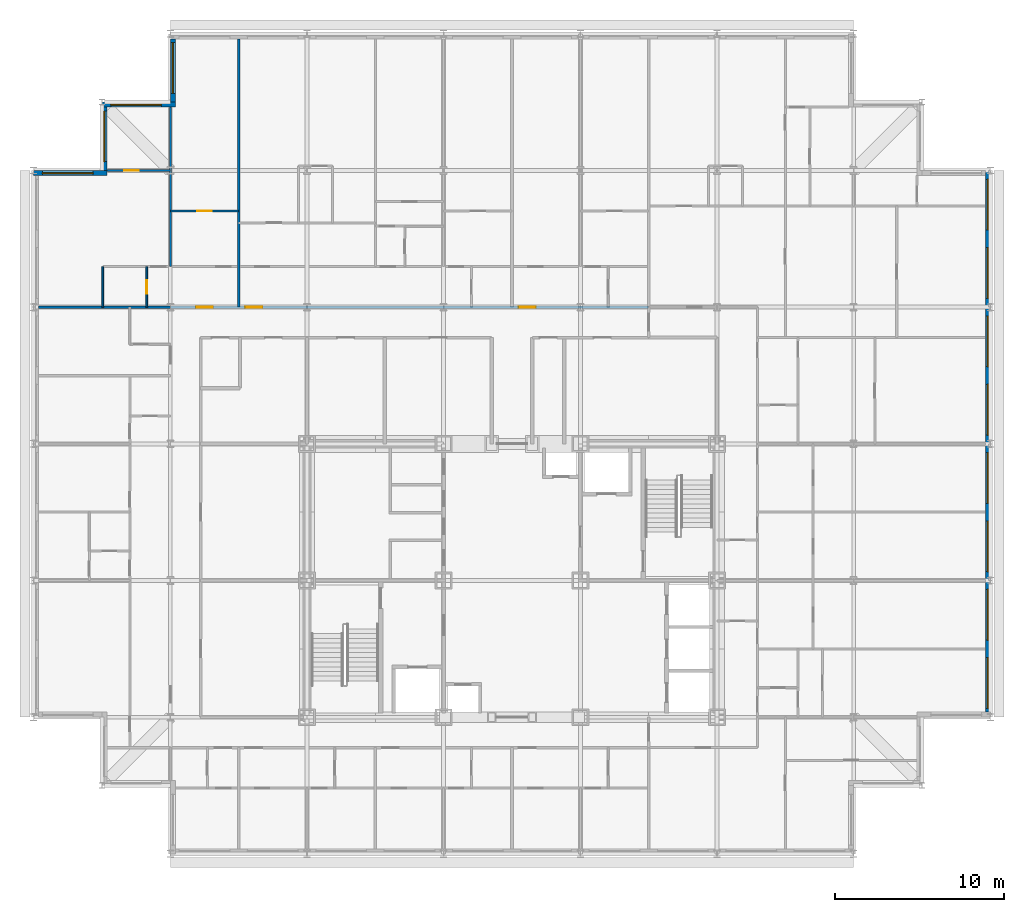
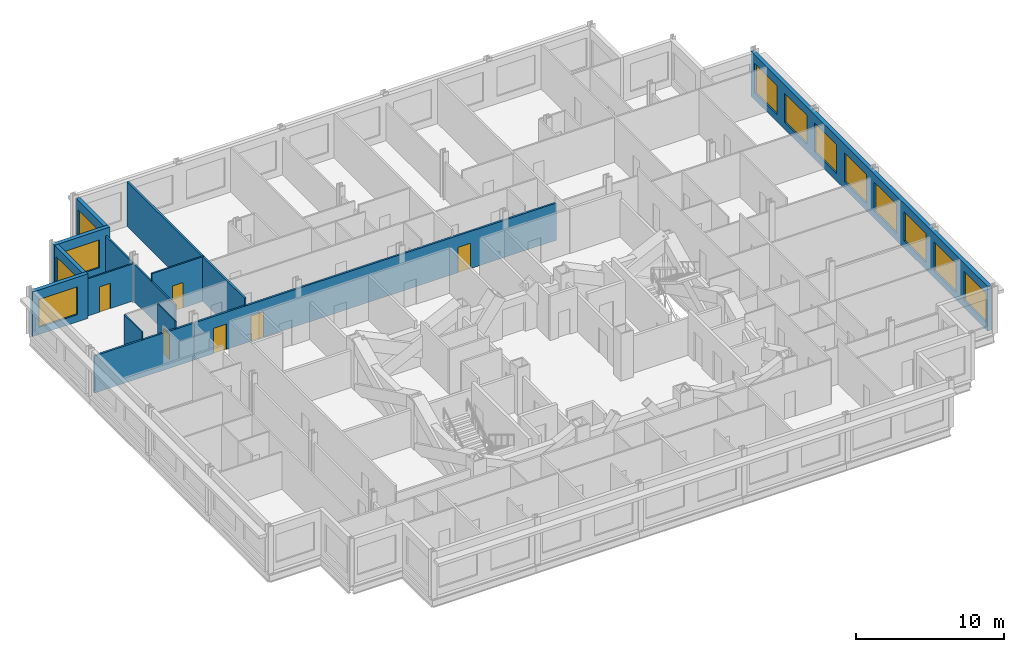
# One storey, part 12 of 16: 13 walls, 12 windows, 6 doors, 18 openings.
"""IFC4 building model written with IfcOpenShell, lengths in metres."""

from ifc_helpers import new_model, si_unit, direction, frame, frame_2d, origin, place, context, subcontext, project, spatial, rectangle, extrude, material, layer, layer_set, type_object, element, fill, save


model = new_model("IFC4")

# Units and contexts
model_context = context("Model", 3, precision=1e-05, world=origin(), true_north=direction((0.0, 1.0)))
body_context = subcontext(model_context, "Body", "Model", "MODEL_VIEW")
ifc_project = project(units=[si_unit("LENGTHUNIT", "METRE"), si_unit("AREAUNIT", "SQUARE_METRE"), si_unit("VOLUMEUNIT", "CUBIC_METRE"), si_unit("PLANEANGLEUNIT", "RADIAN"), si_unit("MASSUNIT", "GRAM", prefix="KILO")], contexts=[model_context])

# Site, building, storey
site_placement = place(None, origin())
site = spatial("IfcSite", under=ifc_project, at=site_placement, CompositionType="ELEMENT")
building_placement = place(site_placement, origin())
building = spatial("IfcBuilding", under=site, at=building_placement, Name="Kopane Lantern Tower", CompositionType="ELEMENT")
storey_placement = place(building_placement, frame((0.0, 0.0, 265.800048828125)))
storey = spatial("IfcBuildingStorey", under=building, at=storey_placement, Name="L68", CompositionType="ELEMENT", Elevation=265.800048828125)

# Wall
ifc_material_1 = material(Name="Gypsum board on steel studs", Category="steel")
ifc_layer_1 = layer(ifc_material_1, 0.1201171875)
ifc_layer_set_1 = layer_set([ifc_layer_1], Name="APARTMENT INTERNAL WALL 120")
wall_type_1 = type_object("IfcWallType", Name="APARTMENT INTERNAL WALL 120", PredefinedType="PARTITIONING", material=ifc_layer_set_1)
wall_1_placement = place(storey_placement, frame((8.10009765625, 51.0, 0.0), z_axis=(0.0, 0.0, 1.0), x_axis=(0.0, 1.0, 0.0)))
element("IfcWall", 1, at=wall_1_placement, inside=storey, type_object=wall_type_1, Name="Apartment Internal Wall 120 L68", PredefinedType="PARTITIONING", context=body_context, shape_type="SweptSolid", body=[
    extrude(rectangle(XDim=9.449951171875, YDim=0.1201171875, at=frame_2d((4.72509765625, 0.0))), origin(), (0.0, 0.0, 1.0), 3.07763671875),
])

# Wall, opening, door
wall_2_placement = place(storey_placement, frame((8.10009765625, 56.699951171875, 0.0), z_axis=(0.0, 0.0, 1.0), x_axis=(-1.0, 0.0, 0.0)))
wall_2 = element("IfcWall", 2, at=wall_2_placement, inside=storey, type_object=wall_type_1, Name="Apartment Internal Wall 120 L68", PredefinedType="PARTITIONING", context=body_context, shape_type="SweptSolid", body=[
    extrude(rectangle(XDim=3.75, YDim=0.1201171875, at=frame_2d((1.875, 0.0))), origin(), (0.0, 0.0, 1.0), 3.07763671875),
])
opening_1_placement = place(wall_2_placement, frame((1.875, 0.0, 0.0)))
opening_1 = element("IfcOpeningElement", 3, at=opening_1_placement, cuts=wall_2, Name="Opening L68-047", PredefinedType="OPENING", context=body_context, shape_type="SweptSolid", body=[
    extrude(rectangle(XDim=0.85009765625, YDim=2.10009765625, at=frame_2d((0.425048828125, 1.050048828125))), frame((0.0, 0.070068359375, 0.0), z_axis=(0.0, -1.0, 0.0), x_axis=(1.0, 0.0, 0.0)), (0.0, 0.0, 1.0), 0.14013671875),
])
ifc_material_2 = material(Name="Timber door set", Category="wood")
door_type_1 = type_object("IfcDoorType", Name="DOOR D4 850x2100", OperationType="SINGLE_SWING_LEFT", PredefinedType="DOOR", material=ifc_material_2)
door_1_placement = place(opening_1_placement, origin())
door_1 = element("IfcDoor", 4, at=door_1_placement, inside=storey, type_object=door_type_1, Name="Door L68-047", OperationType="SINGLE_SWING_LEFT", OverallHeight=2.10009765625, OverallWidth=0.85009765625, PredefinedType="DOOR", context=body_context, shape_type="SweptSolid", body=[
    extrude(rectangle(XDim=0.85009765625, YDim=2.10009765625, at=frame_2d((0.425048828125, 1.050048828125))), frame((0.0, 0.02490234375, 0.0), z_axis=(0.0, -1.0, 0.0), x_axis=(1.0, 0.0, 0.0)), (0.0, 0.0, 1.0), 0.050048828125),
])
fill(opening_1, door_1)

wall_3_placement = place(storey_placement, frame((8.10009765625, 54.300048828125, 0.0), z_axis=(0.0, 0.0, 1.0), x_axis=(1.0, 0.0, 0.0)))
wall_3 = element("IfcWall", 5, at=wall_3_placement, inside=storey, type_object=wall_type_1, Name="Apartment Internal Wall 120 L68", PredefinedType="PARTITIONING", context=body_context, shape_type="SweptSolid", body=[
    extrude(rectangle(XDim=4.0498046875, YDim=0.1201171875, at=frame_2d((2.02490234375, 0.0))), origin(), (0.0, 0.0, 1.0), 3.68994140625),
])
opening_2_placement = place(wall_3_placement, frame((1.60009765625, 0.0, 0.0)))
opening_2 = element("IfcOpeningElement", 6, at=opening_2_placement, cuts=wall_3, Name="Opening L68-075", PredefinedType="OPENING", context=body_context, shape_type="SweptSolid", body=[
    extrude(rectangle(XDim=0.85009765625, YDim=2.10009765625, at=frame_2d((0.425048828125, 1.050048828125))), frame((0.0, 0.070068359375, 0.0), z_axis=(0.0, -1.0, 0.0), x_axis=(1.0, 0.0, 0.0)), (0.0, 0.0, 1.0), 0.14013671875),
])
door_2_placement = place(opening_2_placement, origin())
door_2 = element("IfcDoor", 7, at=door_2_placement, inside=storey, type_object=door_type_1, Name="Door L68-075", OperationType="SINGLE_SWING_RIGHT", OverallHeight=2.10009765625, OverallWidth=0.85009765625, PredefinedType="DOOR", context=body_context, shape_type="SweptSolid", body=[
    extrude(rectangle(XDim=0.85009765625, YDim=2.10009765625, at=frame_2d((0.425048828125, 1.050048828125))), frame((0.0, 0.02490234375, 0.0), z_axis=(0.0, -1.0, 0.0), x_axis=(1.0, 0.0, 0.0)), (0.0, 0.0, 1.0), 0.050048828125),
])
fill(opening_2, door_2)

ifc_material_3 = material(Name="Moisture-resistant board on steel studs", Category="steel")
ifc_layer_2 = layer(ifc_material_3, 0.10009765625)
ifc_layer_set_2 = layer_set([ifc_layer_2], Name="BATHROOM WALL 100")
wall_type_2 = type_object("IfcWallType", Name="BATHROOM WALL 100", PredefinedType="PARTITIONING", material=ifc_layer_set_2)
wall_4_placement = place(storey_placement, frame((6.699951171875, 48.60009765625, 0.0), z_axis=(0.0, 0.0, 1.0), x_axis=(0.0, 1.0, 0.0)))
wall_4 = element("IfcWall", 8, at=wall_4_placement, inside=storey, type_object=wall_type_2, Name="Bathroom Wall 100 L68", PredefinedType="PARTITIONING", context=body_context, shape_type="SweptSolid", body=[
    extrude(rectangle(XDim=2.39990234375, YDim=0.10009765625, at=frame_2d((1.199951171875, 0.0))), origin(), (0.0, 0.0, 1.0), 3.68994140625),
])
opening_3_placement = place(wall_4_placement, frame((0.800048828125, 0.0, 0.0)))
opening_3 = element("IfcOpeningElement", 9, at=opening_3_placement, cuts=wall_4, Name="Opening L68-045", PredefinedType="OPENING", context=body_context, shape_type="SweptSolid", body=[
    extrude(rectangle(XDim=0.800048828125, YDim=2.10009765625, at=frame_2d((0.39990234375, 1.050048828125))), frame((0.0, 0.06005859375, 0.0), z_axis=(0.0, -1.0, 0.0), x_axis=(1.0, 0.0, 0.0)), (0.0, 0.0, 1.0), 0.1201171875),
])
ifc_material_4 = material(Name="Timber door set", Category="wood")
door_type_2 = type_object("IfcDoorType", Name="DOOR D2 800x2100", OperationType="SINGLE_SWING_LEFT", PredefinedType="DOOR", material=ifc_material_4)
door_3_placement = place(opening_3_placement, origin())
door_3 = element("IfcDoor", 10, at=door_3_placement, inside=storey, type_object=door_type_2, Name="Door L68-045", OperationType="SINGLE_SWING_LEFT", OverallHeight=2.10009765625, OverallWidth=0.800048828125, PredefinedType="DOOR", context=body_context, shape_type="SweptSolid", body=[
    extrude(rectangle(XDim=0.800048828125, YDim=2.10009765625, at=frame_2d((0.39990234375, 1.050048828125))), frame((0.0, 0.02490234375, 0.0), z_axis=(0.0, -1.0, 0.0), x_axis=(1.0, 0.0, 0.0)), (0.0, 0.0, 1.0), 0.050048828125),
])
fill(opening_3, door_3)

# Wall
wall_5_placement = place(storey_placement, frame((4.10009765625, 48.60009765625, 0.0), z_axis=(0.0, 0.0, 1.0), x_axis=(0.0, 1.0, 0.0)))
element("IfcWall", 11, at=wall_5_placement, inside=storey, type_object=wall_type_2, Name="Bathroom Wall 100 L68", PredefinedType="PARTITIONING", context=body_context, shape_type="SweptSolid", body=[
    extrude(rectangle(XDim=2.39990234375, YDim=0.10009765625, at=frame_2d((1.199951171875, 0.0))), origin(), (0.0, 0.0, 1.0), 3.68994140625),
])

# Wall, openings, doors
ifc_material_5 = material(Name="Gypsum board on steel studs", Category="steel")
ifc_layer_3 = layer(ifc_material_5, 0.14990234375)
ifc_layer_set_3 = layer_set([ifc_layer_3], Name="CORRIDOR WALL 150 EI 60")
wall_type_3 = type_object("IfcWallType", Name="CORRIDOR WALL 150 EI 60", PredefinedType="PARTITIONING", material=ifc_layer_set_3)
wall_6_placement = place(storey_placement, frame((8.10009765625, 48.60009765625, 0.0), z_axis=(0.0, 0.0, 1.0), x_axis=(1.0, 0.0, 0.0)))
wall_6 = element("IfcWall", 12, at=wall_6_placement, inside=storey, type_object=wall_type_3, Name="Corridor Wall 150 Ei 60 L68", PredefinedType="PARTITIONING", context=body_context, shape_type="SweptSolid", body=[
    extrude(rectangle(XDim=28.349853515625, YDim=0.14990234375, at=frame_2d((14.1748046875, 0.0))), origin(), (0.0, 0.0, 1.0), 3.07763671875),
])
opening_4_placement = place(wall_6_placement, frame((4.449951171875, 0.0, 0.0)))
opening_4 = element("IfcOpeningElement", 13, at=opening_4_placement, cuts=wall_6, Name="Opening L68-022", PredefinedType="OPENING", context=body_context, shape_type="SweptSolid", body=[
    extrude(rectangle(XDim=1.0, YDim=2.10009765625, at=frame_2d((0.5, 1.050048828125))), frame((0.0, 0.0849609375, 0.0), z_axis=(0.0, -1.0, 0.0), x_axis=(1.0, 0.0, 0.0)), (0.0, 0.0, 1.0), 0.169921875),
])
opening_5_placement = place(wall_6_placement, frame((20.64990234375, 0.0, 0.0)))
opening_5 = element("IfcOpeningElement", 14, at=opening_5_placement, cuts=wall_6, Name="Opening L68-028", PredefinedType="OPENING", context=body_context, shape_type="SweptSolid", body=[
    extrude(rectangle(XDim=1.0, YDim=2.10009765625, at=frame_2d((0.5, 1.050048828125))), frame((0.0, 0.0849609375, 0.0), z_axis=(0.0, -1.0, 0.0), x_axis=(1.0, 0.0, 0.0)), (0.0, 0.0, 1.0), 0.169921875),
])
opening_6_placement = place(wall_6_placement, frame((1.52490234375, 0.0, 0.0)))
opening_6 = element("IfcOpeningElement", 15, at=opening_6_placement, cuts=wall_6, Name="Opening L68-043", PredefinedType="OPENING", context=body_context, shape_type="SweptSolid", body=[
    extrude(rectangle(XDim=1.0, YDim=2.10009765625, at=frame_2d((0.5, 1.050048828125))), frame((0.0, 0.0849609375, 0.0), z_axis=(0.0, -1.0, 0.0), x_axis=(1.0, 0.0, 0.0)), (0.0, 0.0, 1.0), 0.169921875),
])
ifc_material_6 = material(Name="Steel door set", Category="steel")
door_type_3 = type_object("IfcDoorType", Name="DOOR D3 1000x2100 FD30S", OperationType="SINGLE_SWING_LEFT", PredefinedType="DOOR", material=ifc_material_6)
door_4_placement = place(opening_4_placement, origin())
door_4 = element("IfcDoor", 16, at=door_4_placement, inside=storey, type_object=door_type_3, Name="Door L68-022", OperationType="SINGLE_SWING_LEFT", OverallHeight=2.10009765625, OverallWidth=1.0, PredefinedType="DOOR", context=body_context, shape_type="SweptSolid", body=[
    extrude(rectangle(XDim=1.0, YDim=2.10009765625, at=frame_2d((0.5, 1.050048828125))), frame((0.0, 0.02490234375, 0.0), z_axis=(0.0, -1.0, 0.0), x_axis=(1.0, 0.0, 0.0)), (0.0, 0.0, 1.0), 0.050048828125),
])
fill(opening_4, door_4)
door_5_placement = place(opening_5_placement, origin())
door_5 = element("IfcDoor", 17, at=door_5_placement, inside=storey, type_object=door_type_3, Name="Door L68-028", OperationType="SINGLE_SWING_LEFT", OverallHeight=2.10009765625, OverallWidth=1.0, PredefinedType="DOOR", context=body_context, shape_type="SweptSolid", body=[
    extrude(rectangle(XDim=1.0, YDim=2.10009765625, at=frame_2d((0.5, 1.050048828125))), frame((0.0, 0.02490234375, 0.0), z_axis=(0.0, -1.0, 0.0), x_axis=(1.0, 0.0, 0.0)), (0.0, 0.0, 1.0), 0.050048828125),
])
fill(opening_5, door_5)
door_6_placement = place(opening_6_placement, origin())
door_6 = element("IfcDoor", 18, at=door_6_placement, inside=storey, type_object=door_type_3, Name="Door L68-043", OperationType="SINGLE_SWING_RIGHT", OverallHeight=2.10009765625, OverallWidth=1.0, PredefinedType="DOOR", context=body_context, shape_type="SweptSolid", body=[
    extrude(rectangle(XDim=1.0, YDim=2.10009765625, at=frame_2d((0.5, 1.050048828125))), frame((0.0, 0.02490234375, 0.0), z_axis=(0.0, -1.0, 0.0), x_axis=(1.0, 0.0, 0.0)), (0.0, 0.0, 1.0), 0.050048828125),
])
fill(opening_6, door_6)

# Walls
ifc_material_7 = material(Name="Gypsum board on steel studs", Category="steel")
ifc_layer_4 = layer(ifc_material_7, 0.14990234375)
ifc_layer_set_4 = layer_set([ifc_layer_4], Name="DEMISING WALL 150 EI 60")
wall_type_4 = type_object("IfcWallType", Name="DEMISING WALL 150 EI 60", PredefinedType="PARTITIONING", material=ifc_layer_set_4)
wall_7_placement = place(storey_placement, frame((0.300048828125, 48.60009765625, 0.0), z_axis=(0.0, 0.0, 1.0), x_axis=(1.0, 0.0, 0.0)))
element("IfcWall", 19, at=wall_7_placement, inside=storey, type_object=wall_type_4, Name="Demising Wall 150 Ei 60 L68", PredefinedType="PARTITIONING", context=body_context, shape_type="SweptSolid", body=[
    extrude(rectangle(XDim=7.800048828125, YDim=0.14990234375, at=frame_2d((3.89990234375, 0.0))), origin(), (0.0, 0.0, 1.0), 3.07763671875),
])
wall_8_placement = place(storey_placement, frame((12.14990234375, 48.60009765625, 0.0), z_axis=(0.0, 0.0, 1.0), x_axis=(0.0, 1.0, 0.0)))
element("IfcWall", 20, at=wall_8_placement, inside=storey, type_object=wall_type_4, Name="Demising Wall 150 Ei 60 L68", PredefinedType="PARTITIONING", context=body_context, shape_type="SweptSolid", body=[
    extrude(rectangle(XDim=15.89990234375, YDim=0.14990234375, at=frame_2d((7.949951171875, 0.0))), origin(), (0.0, 0.0, 1.0), 3.68994140625),
])

# Wall, openings, windows
ifc_material_8 = material(Name="Terracotta rainscreen on light steel framing", Category="masonry")
ifc_layer_5 = layer(ifc_material_8, 0.300048828125)
ifc_layer_set_5 = layer_set([ifc_layer_5], Name="EXTERNAL WALL EW1 300 TERRACOTTA")
wall_type_5 = type_object("IfcWallType", Name="EXTERNAL WALL EW1 300 TERRACOTTA", PredefinedType="SOLIDWALL", material=ifc_layer_set_5)
wall_9_placement = place(storey_placement, frame((56.550048828125, 24.60009765625, 0.0), z_axis=(0.0, 0.0, 1.0), x_axis=(0.0, 1.0, 0.0)))
wall_9 = element("IfcWall", 21, at=wall_9_placement, inside=storey, type_object=wall_type_5, Name="External wall E L68", PredefinedType="SOLIDWALL", context=body_context, shape_type="SweptSolid", body=[
    extrude(rectangle(XDim=32.099853515625, YDim=0.300048828125, at=frame_2d((16.0498046875, 0.0))), origin(), (0.0, 0.0, 1.0), 3.68994140625),
])
opening_7_placement = place(wall_9_placement, frame((0.22509765625, 0.0, 0.60009765625)))
opening_7 = element("IfcOpeningElement", 22, at=opening_7_placement, cuts=wall_9, Name="Opening WR300240", PredefinedType="OPENING", context=body_context, shape_type="SweptSolid", body=[
    extrude(rectangle(XDim=3.0, YDim=2.39990234375, at=frame_2d((1.5, 1.199951171875))), frame((0.0, 0.159912109375, 0.0), z_axis=(0.0, -1.0, 0.0), x_axis=(1.0, 0.0, 0.0)), (0.0, 0.0, 1.0), 0.320068359375),
])
opening_8_placement = place(wall_9_placement, frame((4.27490234375, 0.0, 0.60009765625)))
opening_8 = element("IfcOpeningElement", 23, at=opening_8_placement, cuts=wall_9, Name="Opening WR300240", PredefinedType="OPENING", context=body_context, shape_type="SweptSolid", body=[
    extrude(rectangle(XDim=3.0, YDim=2.39990234375, at=frame_2d((1.5, 1.199951171875))), frame((0.0, 0.159912109375, 0.0), z_axis=(0.0, -1.0, 0.0), x_axis=(1.0, 0.0, 0.0)), (0.0, 0.0, 1.0), 0.320068359375),
])
opening_9_placement = place(wall_9_placement, frame((8.324951171875, 0.0, 0.60009765625)))
opening_9 = element("IfcOpeningElement", 24, at=opening_9_placement, cuts=wall_9, Name="Opening WR300240", PredefinedType="OPENING", context=body_context, shape_type="SweptSolid", body=[
    extrude(rectangle(XDim=3.0, YDim=2.39990234375, at=frame_2d((1.5, 1.199951171875))), frame((0.0, 0.159912109375, 0.0), z_axis=(0.0, -1.0, 0.0), x_axis=(1.0, 0.0, 0.0)), (0.0, 0.0, 1.0), 0.320068359375),
])
opening_10_placement = place(wall_9_placement, frame((12.375, 0.0, 0.60009765625)))
opening_10 = element("IfcOpeningElement", 25, at=opening_10_placement, cuts=wall_9, Name="Opening WR300240", PredefinedType="OPENING", context=body_context, shape_type="SweptSolid", body=[
    extrude(rectangle(XDim=3.0, YDim=2.39990234375, at=frame_2d((1.5, 1.199951171875))), frame((0.0, 0.159912109375, 0.0), z_axis=(0.0, -1.0, 0.0), x_axis=(1.0, 0.0, 0.0)), (0.0, 0.0, 1.0), 0.320068359375),
])
opening_11_placement = place(wall_9_placement, frame((16.425048828125, 0.0, 0.60009765625)))
opening_11 = element("IfcOpeningElement", 26, at=opening_11_placement, cuts=wall_9, Name="Opening WR300240", PredefinedType="OPENING", context=body_context, shape_type="SweptSolid", body=[
    extrude(rectangle(XDim=3.0, YDim=2.39990234375, at=frame_2d((1.5, 1.199951171875))), frame((0.0, 0.159912109375, 0.0), z_axis=(0.0, -1.0, 0.0), x_axis=(1.0, 0.0, 0.0)), (0.0, 0.0, 1.0), 0.320068359375),
])
opening_12_placement = place(wall_9_placement, frame((20.47509765625, 0.0, 0.60009765625)))
opening_12 = element("IfcOpeningElement", 27, at=opening_12_placement, cuts=wall_9, Name="Opening WR300240", PredefinedType="OPENING", context=body_context, shape_type="SweptSolid", body=[
    extrude(rectangle(XDim=3.0, YDim=2.39990234375, at=frame_2d((1.5, 1.199951171875))), frame((0.0, 0.159912109375, 0.0), z_axis=(0.0, -1.0, 0.0), x_axis=(1.0, 0.0, 0.0)), (0.0, 0.0, 1.0), 0.320068359375),
])
opening_13_placement = place(wall_9_placement, frame((24.52490234375, 0.0, 0.60009765625)))
opening_13 = element("IfcOpeningElement", 28, at=opening_13_placement, cuts=wall_9, Name="Opening WR300240", PredefinedType="OPENING", context=body_context, shape_type="SweptSolid", body=[
    extrude(rectangle(XDim=3.0, YDim=2.39990234375, at=frame_2d((1.5, 1.199951171875))), frame((0.0, 0.159912109375, 0.0), z_axis=(0.0, -1.0, 0.0), x_axis=(1.0, 0.0, 0.0)), (0.0, 0.0, 1.0), 0.320068359375),
])
opening_14_placement = place(wall_9_placement, frame((28.574951171875, 0.0, 0.60009765625)))
opening_14 = element("IfcOpeningElement", 29, at=opening_14_placement, cuts=wall_9, Name="Opening WR300240", PredefinedType="OPENING", context=body_context, shape_type="SweptSolid", body=[
    extrude(rectangle(XDim=3.0, YDim=2.39990234375, at=frame_2d((1.5, 1.199951171875))), frame((0.0, 0.159912109375, 0.0), z_axis=(0.0, -1.0, 0.0), x_axis=(1.0, 0.0, 0.0)), (0.0, 0.0, 1.0), 0.320068359375),
])
ifc_material_9 = material(Name="Aluminium and clear glass", Category="aluminium")
window_type_1 = type_object("IfcWindowType", Name="RIBBON WINDOW WR300240 3000x2400", PartitioningType="SINGLE_PANEL", PredefinedType="WINDOW", material=ifc_material_9)
window_1_placement = place(opening_7_placement, origin())
window_1 = element("IfcWindow", 30, at=window_1_placement, inside=storey, type_object=window_type_1, Name="Window E L68", OverallHeight=2.39990234375, OverallWidth=3.0, PartitioningType="SINGLE_PANEL", PredefinedType="WINDOW", context=body_context, shape_type="SweptSolid", body=[
    extrude(rectangle(XDim=3.0, YDim=2.39990234375, at=frame_2d((1.5, 1.199951171875))), frame((0.0, 0.030029296875, 0.0), z_axis=(0.0, -1.0, 0.0), x_axis=(1.0, 0.0, 0.0)), (0.0, 0.0, 1.0), 0.06005859375),
])
fill(opening_7, window_1)
window_2_placement = place(opening_8_placement, origin())
window_2 = element("IfcWindow", 31, at=window_2_placement, inside=storey, type_object=window_type_1, Name="Window E L68", OverallHeight=2.39990234375, OverallWidth=3.0, PartitioningType="SINGLE_PANEL", PredefinedType="WINDOW", context=body_context, shape_type="SweptSolid", body=[
    extrude(rectangle(XDim=3.0, YDim=2.39990234375, at=frame_2d((1.5, 1.199951171875))), frame((0.0, 0.030029296875, 0.0), z_axis=(0.0, -1.0, 0.0), x_axis=(1.0, 0.0, 0.0)), (0.0, 0.0, 1.0), 0.06005859375),
])
fill(opening_8, window_2)
window_3_placement = place(opening_9_placement, origin())
window_3 = element("IfcWindow", 32, at=window_3_placement, inside=storey, type_object=window_type_1, Name="Window E L68", OverallHeight=2.39990234375, OverallWidth=3.0, PartitioningType="SINGLE_PANEL", PredefinedType="WINDOW", context=body_context, shape_type="SweptSolid", body=[
    extrude(rectangle(XDim=3.0, YDim=2.39990234375, at=frame_2d((1.5, 1.199951171875))), frame((0.0, 0.030029296875, 0.0), z_axis=(0.0, -1.0, 0.0), x_axis=(1.0, 0.0, 0.0)), (0.0, 0.0, 1.0), 0.06005859375),
])
fill(opening_9, window_3)
window_4_placement = place(opening_10_placement, origin())
window_4 = element("IfcWindow", 33, at=window_4_placement, inside=storey, type_object=window_type_1, Name="Window E L68", OverallHeight=2.39990234375, OverallWidth=3.0, PartitioningType="SINGLE_PANEL", PredefinedType="WINDOW", context=body_context, shape_type="SweptSolid", body=[
    extrude(rectangle(XDim=3.0, YDim=2.39990234375, at=frame_2d((1.5, 1.199951171875))), frame((0.0, 0.030029296875, 0.0), z_axis=(0.0, -1.0, 0.0), x_axis=(1.0, 0.0, 0.0)), (0.0, 0.0, 1.0), 0.06005859375),
])
fill(opening_10, window_4)
window_5_placement = place(opening_11_placement, origin())
window_5 = element("IfcWindow", 34, at=window_5_placement, inside=storey, type_object=window_type_1, Name="Window E L68", OverallHeight=2.39990234375, OverallWidth=3.0, PartitioningType="SINGLE_PANEL", PredefinedType="WINDOW", context=body_context, shape_type="SweptSolid", body=[
    extrude(rectangle(XDim=3.0, YDim=2.39990234375, at=frame_2d((1.5, 1.199951171875))), frame((0.0, 0.030029296875, 0.0), z_axis=(0.0, -1.0, 0.0), x_axis=(1.0, 0.0, 0.0)), (0.0, 0.0, 1.0), 0.06005859375),
])
fill(opening_11, window_5)
window_6_placement = place(opening_12_placement, origin())
window_6 = element("IfcWindow", 35, at=window_6_placement, inside=storey, type_object=window_type_1, Name="Window E L68", OverallHeight=2.39990234375, OverallWidth=3.0, PartitioningType="SINGLE_PANEL", PredefinedType="WINDOW", context=body_context, shape_type="SweptSolid", body=[
    extrude(rectangle(XDim=3.0, YDim=2.39990234375, at=frame_2d((1.5, 1.199951171875))), frame((0.0, 0.030029296875, 0.0), z_axis=(0.0, -1.0, 0.0), x_axis=(1.0, 0.0, 0.0)), (0.0, 0.0, 1.0), 0.06005859375),
])
fill(opening_12, window_6)
window_7_placement = place(opening_13_placement, origin())
window_7 = element("IfcWindow", 36, at=window_7_placement, inside=storey, type_object=window_type_1, Name="Window E L68", OverallHeight=2.39990234375, OverallWidth=3.0, PartitioningType="SINGLE_PANEL", PredefinedType="WINDOW", context=body_context, shape_type="SweptSolid", body=[
    extrude(rectangle(XDim=3.0, YDim=2.39990234375, at=frame_2d((1.5, 1.199951171875))), frame((0.0, 0.030029296875, 0.0), z_axis=(0.0, -1.0, 0.0), x_axis=(1.0, 0.0, 0.0)), (0.0, 0.0, 1.0), 0.06005859375),
])
fill(opening_13, window_7)
window_8_placement = place(opening_14_placement, origin())
window_8 = element("IfcWindow", 37, at=window_8_placement, inside=storey, type_object=window_type_1, Name="Window E L68", OverallHeight=2.39990234375, OverallWidth=3.0, PartitioningType="SINGLE_PANEL", PredefinedType="WINDOW", context=body_context, shape_type="SweptSolid", body=[
    extrude(rectangle(XDim=3.0, YDim=2.39990234375, at=frame_2d((1.5, 1.199951171875))), frame((0.0, 0.030029296875, 0.0), z_axis=(0.0, -1.0, 0.0), x_axis=(1.0, 0.0, 0.0)), (0.0, 0.0, 1.0), 0.06005859375),
])
fill(opening_14, window_8)

# Wall, opening, window
wall_10_placement = place(storey_placement, frame((8.25, 64.5, 0.0), z_axis=(0.0, 0.0, 1.0), x_axis=(0.0, -1.0, 0.0)))
wall_10 = element("IfcWall", 38, at=wall_10_placement, inside=storey, type_object=wall_type_5, Name="External wall W L68", PredefinedType="SOLIDWALL", context=body_context, shape_type="SweptSolid", body=[
    extrude(rectangle(XDim=3.75, YDim=0.300048828125, at=frame_2d((1.875, 0.0))), origin(), (0.0, 0.0, 1.0), 3.68994140625),
])
opening_15_placement = place(wall_10_placement, frame((0.22509765625, 0.0, 0.60009765625)))
opening_15 = element("IfcOpeningElement", 39, at=opening_15_placement, cuts=wall_10, Name="Opening WR300230", PredefinedType="OPENING", context=body_context, shape_type="SweptSolid", body=[
    extrude(rectangle(XDim=3.0, YDim=2.300048828125, at=frame_2d((1.5, 1.14990234375))), frame((0.0, 0.159912109375, 0.0), z_axis=(0.0, -1.0, 0.0), x_axis=(1.0, 0.0, 0.0)), (0.0, 0.0, 1.0), 0.320068359375),
])
ifc_material_10 = material(Name="Aluminium and clear glass", Category="aluminium")
window_type_2 = type_object("IfcWindowType", Name="RIBBON WINDOW WR300230 3000x2300", PartitioningType="SINGLE_PANEL", PredefinedType="WINDOW", material=ifc_material_10)
window_9_placement = place(opening_15_placement, origin())
window_9 = element("IfcWindow", 40, at=window_9_placement, inside=storey, type_object=window_type_2, Name="Window W L68", OverallHeight=2.300048828125, OverallWidth=3.0, PartitioningType="SINGLE_PANEL", PredefinedType="WINDOW", context=body_context, shape_type="SweptSolid", body=[
    extrude(rectangle(XDim=3.0, YDim=2.300048828125, at=frame_2d((1.5, 1.14990234375))), frame((0.0, 0.030029296875, 0.0), z_axis=(0.0, -1.0, 0.0), x_axis=(1.0, 0.0, 0.0)), (0.0, 0.0, 1.0), 0.06005859375),
])
fill(opening_15, window_9)

wall_11_placement = place(storey_placement, frame((8.39990234375, 60.60009765625, 0.0), z_axis=(0.0, 0.0, 1.0), x_axis=(-1.0, 0.0, 0.0)))
wall_11 = element("IfcWall", 41, at=wall_11_placement, inside=storey, type_object=wall_type_5, Name="External wall N L68", PredefinedType="SOLIDWALL", context=body_context, shape_type="SweptSolid", body=[
    extrude(rectangle(XDim=4.349853515625, YDim=0.300048828125, at=frame_2d((2.1748046875, 0.0))), origin(), (0.0, 0.0, 1.0), 3.68994140625),
])
opening_16_placement = place(wall_11_placement, frame((0.824951171875, 0.0, 0.60009765625)))
opening_16 = element("IfcOpeningElement", 42, at=opening_16_placement, cuts=wall_11, Name="Opening WR300230", PredefinedType="OPENING", context=body_context, shape_type="SweptSolid", body=[
    extrude(rectangle(XDim=3.0, YDim=2.300048828125, at=frame_2d((1.5, 1.14990234375))), frame((0.0, 0.159912109375, 0.0), z_axis=(0.0, -1.0, 0.0), x_axis=(1.0, 0.0, 0.0)), (0.0, 0.0, 1.0), 0.320068359375),
])
window_10_placement = place(opening_16_placement, origin())
window_10 = element("IfcWindow", 43, at=window_10_placement, inside=storey, type_object=window_type_2, Name="Window N L68", OverallHeight=2.300048828125, OverallWidth=3.0, PartitioningType="SINGLE_PANEL", PredefinedType="WINDOW", context=body_context, shape_type="SweptSolid", body=[
    extrude(rectangle(XDim=3.0, YDim=2.300048828125, at=frame_2d((1.5, 1.14990234375))), frame((0.0, 0.030029296875, 0.0), z_axis=(0.0, -1.0, 0.0), x_axis=(1.0, 0.0, 0.0)), (0.0, 0.0, 1.0), 0.06005859375),
])
fill(opening_16, window_10)

wall_12_placement = place(storey_placement, frame((4.199951171875, 60.449951171875, 0.0), z_axis=(0.0, 0.0, 1.0), x_axis=(0.0, -1.0, 0.0)))
wall_12 = element("IfcWall", 44, at=wall_12_placement, inside=storey, type_object=wall_type_5, Name="External wall W L68", PredefinedType="SOLIDWALL", context=body_context, shape_type="SweptSolid", body=[
    extrude(rectangle(XDim=3.75, YDim=0.300048828125, at=frame_2d((1.875, 0.0))), origin(), (0.0, 0.0, 1.0), 3.68994140625),
])
opening_17_placement = place(wall_12_placement, frame((0.22509765625, 0.0, 0.60009765625)))
opening_17 = element("IfcOpeningElement", 45, at=opening_17_placement, cuts=wall_12, Name="Opening WR300230", PredefinedType="OPENING", context=body_context, shape_type="SweptSolid", body=[
    extrude(rectangle(XDim=3.0, YDim=2.300048828125, at=frame_2d((1.5, 1.14990234375))), frame((0.0, 0.159912109375, 0.0), z_axis=(0.0, -1.0, 0.0), x_axis=(1.0, 0.0, 0.0)), (0.0, 0.0, 1.0), 0.320068359375),
])
window_11_placement = place(opening_17_placement, origin())
window_11 = element("IfcWindow", 46, at=window_11_placement, inside=storey, type_object=window_type_2, Name="Window W L68", OverallHeight=2.300048828125, OverallWidth=3.0, PartitioningType="SINGLE_PANEL", PredefinedType="WINDOW", context=body_context, shape_type="SweptSolid", body=[
    extrude(rectangle(XDim=3.0, YDim=2.300048828125, at=frame_2d((1.5, 1.14990234375))), frame((0.0, 0.030029296875, 0.0), z_axis=(0.0, -1.0, 0.0), x_axis=(1.0, 0.0, 0.0)), (0.0, 0.0, 1.0), 0.06005859375),
])
fill(opening_17, window_11)

wall_13_placement = place(storey_placement, frame((4.35009765625, 56.550048828125, 0.0), z_axis=(0.0, 0.0, 1.0), x_axis=(-1.0, 0.0, 0.0)))
wall_13 = element("IfcWall", 47, at=wall_13_placement, inside=storey, type_object=wall_type_5, Name="External wall N L68", PredefinedType="SOLIDWALL", context=body_context, shape_type="SweptSolid", body=[
    extrude(rectangle(XDim=4.35009765625, YDim=0.300048828125, at=frame_2d((2.175048828125, 0.0))), origin(), (0.0, 0.0, 1.0), 3.68994140625),
])
opening_18_placement = place(wall_13_placement, frame((0.824951171875, 0.0, 0.60009765625)))
opening_18 = element("IfcOpeningElement", 48, at=opening_18_placement, cuts=wall_13, Name="Opening WR300230", PredefinedType="OPENING", context=body_context, shape_type="SweptSolid", body=[
    extrude(rectangle(XDim=3.0, YDim=2.300048828125, at=frame_2d((1.5, 1.14990234375))), frame((0.0, 0.159912109375, 0.0), z_axis=(0.0, -1.0, 0.0), x_axis=(1.0, 0.0, 0.0)), (0.0, 0.0, 1.0), 0.320068359375),
])
window_12_placement = place(opening_18_placement, origin())
window_12 = element("IfcWindow", 49, at=window_12_placement, inside=storey, type_object=window_type_2, Name="Window N L68", OverallHeight=2.300048828125, OverallWidth=3.0, PartitioningType="SINGLE_PANEL", PredefinedType="WINDOW", context=body_context, shape_type="SweptSolid", body=[
    extrude(rectangle(XDim=3.0, YDim=2.300048828125, at=frame_2d((1.5, 1.14990234375))), frame((0.0, 0.030029296875, 0.0), z_axis=(0.0, -1.0, 0.0), x_axis=(1.0, 0.0, 0.0)), (0.0, 0.0, 1.0), 0.06005859375),
])
fill(opening_18, window_12)

save(model, "model.ifc")
